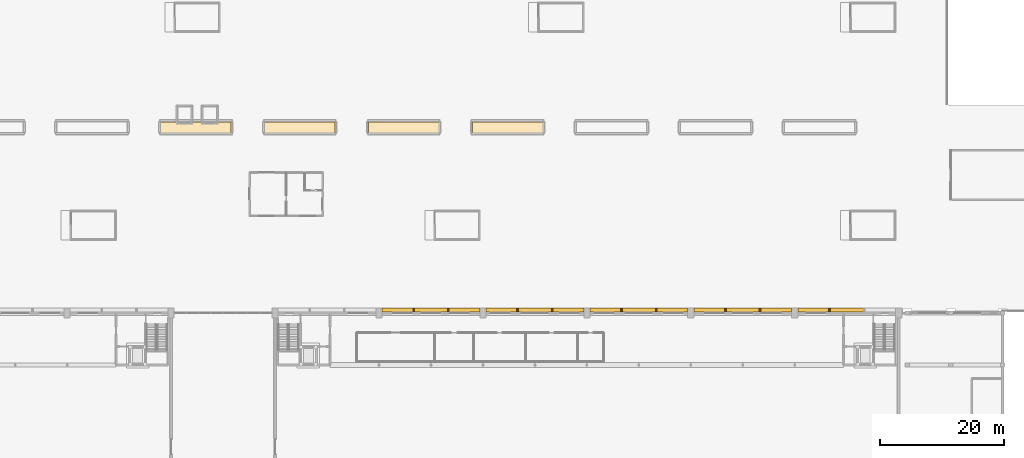
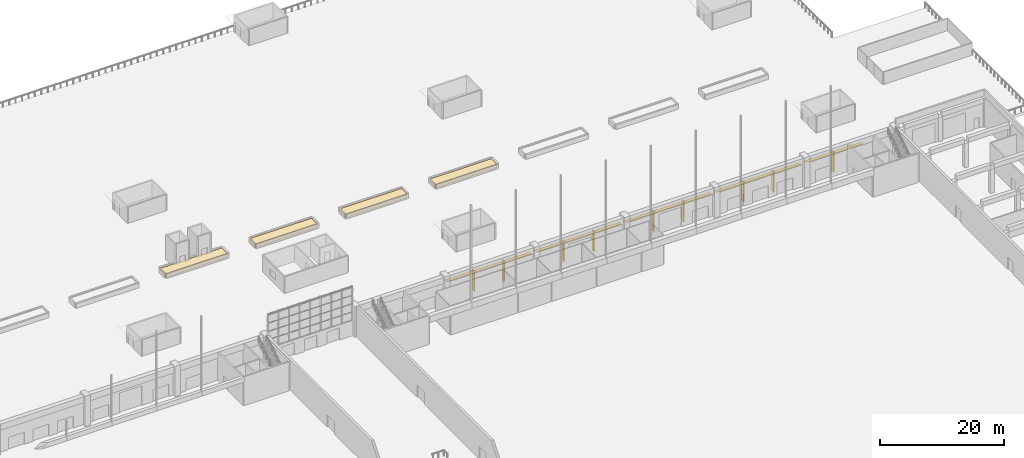
# One storey, part 204 of 210: 14 shading devices, 13 coverings.
"""IFC4 building model written with IfcOpenShell, lengths in metres."""

import ifcopenshell
import ifcopenshell.guid

model = None  # the IFC model being written
_history = None  # IfcOwnerHistory: only IFC2X3 demands one
_inside = {}  # id of a spatial element -> (the spatial element, [elements in it])
_under = {}  # id of a project, library or spatial element -> (it, [spatial elements below it])
_declared = {}  # id of a project -> (the project, [libraries it declares])
_typed = {}  # id of a type object -> (the type object, [elements of that type])
_made_of = {}  # id of a material, layer set ... -> (it, [elements and type objects made of it])


def new_model(schema):
    """Start an empty IFC model of exactly this schema.

    Asked for "IFC4X3", IfcOpenShell would pick the latest addendum, in which some entities
    have other attributes; the version numbers below select the first issue.
    IFC2X3 requires an IfcOwnerHistory on every rooted entity: one is made here for all.
    """
    global model, _history
    if schema == "IFC4X3":
        model = ifcopenshell.file(schema_version=(4, 3, 0, 0))
    else:
        model = ifcopenshell.file(schema=schema)
    _inside.clear()
    _under.clear()
    _declared.clear()
    _typed.clear()
    _made_of.clear()
    _history = None
    if model.schema == "IFC2X3":
        org = make("IfcOrganization", Name="unknown")
        user = make(
            "IfcPersonAndOrganization",
            ThePerson=make("IfcPerson", FamilyName="unknown"),
            TheOrganization=org,
        )
        app = make(
            "IfcApplication",
            ApplicationDeveloper=org,
            Version="unknown",
            ApplicationFullName="unknown",
            ApplicationIdentifier="unknown",
        )
        _history = make(
            "IfcOwnerHistory",
            OwningUser=user,
            OwningApplication=app,
            ChangeAction="ADDED",
            CreationDate=0,
        )
    return model


def make(cls, **values):
    """One entity of the class cls with the attributes given. An attribute that is None is left unset."""
    return model.create_entity(
        cls, **{name: value for name, value in values.items() if value is not None}
    )


def rooted(cls, **values):
    """An entity with a GlobalId (a new one), such as an element, a storey or a relation."""
    return make(cls, GlobalId=ifcopenshell.guid.new(), OwnerHistory=_history, **values)


def si_unit(unit_type, name, prefix=None):
    """IfcSIUnit, for example si_unit("LENGTHUNIT", "METRE", prefix="MILLI")."""
    return make("IfcSIUnit", UnitType=unit_type, Prefix=prefix, Name=name)


def assignment(units):
    """IfcUnitAssignment: the units of a project."""
    return None if units is None else make("IfcUnitAssignment", Units=units)


def point(xyz):
    """IfcCartesianPoint."""
    return None if xyz is None else make("IfcCartesianPoint", Coordinates=xyz)


def direction(xyz):
    """IfcDirection."""
    return None if xyz is None else make("IfcDirection", DirectionRatios=xyz)


def frame(location, z_axis=None, x_axis=None):
    """IfcAxis2Placement3D, a coordinate frame: its origin and axes. An axis left out is left unset."""
    return make(
        "IfcAxis2Placement3D",
        Location=point(location),
        Axis=direction(z_axis),
        RefDirection=direction(x_axis),
    )


def frame_2d(location, x_axis=None):
    """IfcAxis2Placement2D, a coordinate frame in the plane: its origin and x axis."""
    return make(
        "IfcAxis2Placement2D", Location=point(location), RefDirection=direction(x_axis)
    )


def origin():
    """The frame at (0, 0, 0) with its axes left unset."""
    return frame((0.0, 0.0, 0.0))


def origin_2d():
    """The frame at (0, 0) in the plane with its x axis left unset."""
    return frame_2d((0.0, 0.0))


def place(relative_to, where):
    """IfcLocalPlacement: puts the frame where relative to a parent placement (None: the world)."""
    return make(
        "IfcLocalPlacement", PlacementRelTo=relative_to, RelativePlacement=where
    )


def context(
    kind, dimensions, precision=None, world=None, true_north=None, identifier=None
):
    """IfcGeometricRepresentationContext, for example the 3D "Model" context."""
    return make(
        "IfcGeometricRepresentationContext",
        ContextIdentifier=identifier,
        ContextType=kind,
        CoordinateSpaceDimension=dimensions,
        Precision=precision,
        WorldCoordinateSystem=world,
        TrueNorth=true_north,
    )


def subcontext(parent, identifier, kind, view, scale=None):
    """IfcGeometricRepresentationSubContext, for example "Body" below "Model"."""
    return make(
        "IfcGeometricRepresentationSubContext",
        ContextIdentifier=identifier,
        ContextType=kind,
        ParentContext=parent,
        TargetScale=scale,
        TargetView=view,
    )


def project(units=None, contexts=None):
    """IfcProject with its units and contexts."""
    return rooted(
        "IfcProject",
        Name="project",
        RepresentationContexts=contexts,
        UnitsInContext=assignment(units),
    )


def spatial(cls, under=None, at=None, **own):
    """A site, building, storey or space (cls), placed at a placement, below another one or the project."""
    s = rooted(cls, ObjectPlacement=at, **own)
    if under is not None:
        _under.setdefault(under.id(), (under, []))[1].append(s)
    return s


def profile(cls, at=None, kind="AREA", **sizes):
    """A parametric profile (cls). Its sizes go by their IFC names, for example OverallWidth=200.0."""
    return make(cls, ProfileType=kind, Position=at, **sizes)


def rectangle(**sizes):
    """IfcRectangleProfileDef."""
    return profile("IfcRectangleProfileDef", **sizes)


def extrude(swept, where, along, depth):
    """IfcExtrudedAreaSolid: the profile swept, set in the frame where, extruded along a direction by depth."""
    return make(
        "IfcExtrudedAreaSolid",
        SweptArea=swept,
        Position=where,
        ExtrudedDirection=direction(along),
        Depth=depth,
    )


def shape(context_of_items, identifier, shape_type, items):
    """IfcShapeRepresentation: the items that make up one representation, for example the "Body"."""
    return make(
        "IfcShapeRepresentation",
        ContextOfItems=context_of_items,
        RepresentationIdentifier=identifier,
        RepresentationType=shape_type,
        Items=items,
    )


def material(Name=None, Category=None):
    """IfcMaterial."""
    return make("IfcMaterial", Name=Name, Category=Category)


def layer(
    of_material, thickness, ventilated=None, Name=None, Category=None, Priority=None
):
    """IfcMaterialLayer: one layer of a wall or slab, of a material (None: an air gap)."""
    return make(
        "IfcMaterialLayer",
        Material=of_material,
        LayerThickness=thickness,
        IsVentilated=ventilated,
        Name=Name,
        Category=Category,
        Priority=Priority,
    )


def layer_set(layers, Name=None):
    """IfcMaterialLayerSet."""
    return make("IfcMaterialLayerSet", MaterialLayers=layers, LayerSetName=Name)


def made_of(thing, what):
    """Note that an element or type object is made of a material, layer set ...; save() writes the relation."""
    if what is not None:
        _made_of.setdefault(what.id(), (what, []))[1].append(thing)
    return thing


def type_object(cls, material=None, **own):
    """A type object (cls), such as IfcWallType, which elements share."""
    return made_of(rooted(cls, **own), material)


def element(
    cls,
    number,
    at=None,
    inside=None,
    cuts=None,
    type_object=None,
    material=None,
    context=None,
    identifier="Body",
    shape_type=None,
    held_by="IfcProductDefinitionShape",
    body=None,
    shapes=None,
    **own,
):
    """One element of the class cls, such as IfcWall. Its Tag is "e" and its number.

    at: its placement. inside: the storey or other place that contains it. cuts: it is an
    opening in that element (IfcRelVoidsElement). A single representation is given by context,
    identifier, shape_type and body (its items); several are given by shapes. held_by: the class
    of the entity that holds the representations. save() writes the other relations.
    """
    e = rooted(cls, Tag="e%d" % number, ObjectPlacement=at, **own)
    if body is not None:
        shapes = [shape(context, identifier, shape_type, body)]
    if shapes is not None:
        e.Representation = make(held_by, Representations=shapes)
    if inside is not None:
        _inside.setdefault(inside.id(), (inside, []))[1].append(e)
    if cuts is not None:
        rooted(
            "IfcRelVoidsElement", RelatingBuildingElement=cuts, RelatedOpeningElement=e
        )
    if type_object is not None:
        _typed.setdefault(type_object.id(), (type_object, []))[1].append(e)
    return made_of(e, material)


def aggregate(whole, parts):
    """IfcRelAggregates: a whole, such as a stair, and the parts it consists of."""
    return rooted("IfcRelAggregates", RelatingObject=whole, RelatedObjects=parts)


def save(model, path):
    """Write the relations noted so far, then the file.

    IfcRelAggregates (storeys below a building ...), IfcRelContainedInSpatialStructure (elements
    in a storey), IfcRelDefinesByType, IfcRelAssociatesMaterial and IfcRelDeclares: one each for
    every whole, place, type object, material and project.
    """
    for whole, parts in _under.values():
        aggregate(whole, parts)
    for where, things in _inside.values():
        rooted(
            "IfcRelContainedInSpatialStructure",
            RelatedElements=things,
            RelatingStructure=where,
        )
    for kind, things in _typed.values():
        rooted("IfcRelDefinesByType", RelatedObjects=things, RelatingType=kind)
    for what, things in _made_of.values():
        rooted("IfcRelAssociatesMaterial", RelatedObjects=things, RelatingMaterial=what)
    for by, libraries in _declared.values():
        rooted("IfcRelDeclares", RelatingContext=by, RelatedDefinitions=libraries)
    model.write(path)


model = new_model("IFC4")

# Units and contexts
model_context = context("Model", 3, precision=1e-05, world=origin(), true_north=direction((0.0, 1.0)))
body_context = subcontext(model_context, "Body", "Model", "MODEL_VIEW")
ifc_project = project(units=[si_unit("LENGTHUNIT", "METRE"), si_unit("AREAUNIT", "SQUARE_METRE"), si_unit("VOLUMEUNIT", "CUBIC_METRE"), si_unit("PLANEANGLEUNIT", "RADIAN"), si_unit("MASSUNIT", "GRAM", prefix="KILO")], contexts=[model_context])

# Site, building, storey
site_placement = place(None, origin())
site = spatial("IfcSite", under=ifc_project, at=site_placement, CompositionType="ELEMENT")
building_placement = place(site_placement, origin())
building = spatial("IfcBuilding", under=site, at=building_placement, Name="Rain Tree Exposition and Congress Centre", CompositionType="ELEMENT")
storey_placement = place(building_placement, origin())
storey = spatial("IfcBuildingStorey", under=building, at=storey_placement, Name="L00", CompositionType="ELEMENT", Elevation=0.0)

# Coverings
ifc_material_1 = material(Name="Precast concrete C50/60", Category="concrete")
ifc_layer_1 = layer(ifc_material_1, 0.199951171875)
ifc_layer_set_1 = layer_set([ifc_layer_1], Name="Precast concrete C50/60")
covering_type_1 = type_object("IfcCoveringType", Name="North face fin 200x600", PredefinedType="CLADDING", material=ifc_layer_set_1)
for number, where, z_axis, x_axis, name in (
    (1, (165.199951171875, 202.10009765625, 0.4501953125), (0.0, 0.0, 1.0), (1.0, 0.0, 0.0), "Facade fin N2.1"),
    (2, (170.800048828125, 202.10009765625, 0.4501953125), (0.0, 0.0, 1.0), (1.0, 0.0, 0.0), "Facade fin N2.2"),
    (3, (182.0, 202.10009765625, 0.4501953125), (0.0, 0.0, 1.0), (1.0, 0.0, 0.0), "Facade fin N3.1"),
    (4, (187.60009765625, 202.10009765625, 0.4501953125), (0.0, 0.0, 1.0), (1.0, 0.0, 0.0), "Facade fin N3.2"),
    (5, (198.800048828125, 202.10009765625, 0.4501953125), (0.0, 0.0, 1.0), (1.0, 0.0, 0.0), "Facade fin N4.1"),
    (6, (204.39990234375, 202.10009765625, 0.4501953125), (0.0, 0.0, 1.0), (1.0, 0.0, 0.0), "Facade fin N4.2"),
    (7, (215.60009765625, 202.10009765625, 0.4501953125), (0.0, 0.0, 1.0), (1.0, 0.0, 0.0), "Facade fin N5.1"),
    (8, (221.199951171875, 202.10009765625, 0.4501953125), (0.0, 0.0, 1.0), (1.0, 0.0, 0.0), "Facade fin N5.2"),
    (9, (232.39990234375, 202.10009765625, 0.4501953125), (0.0, 0.0, 1.0), (1.0, 0.0, 0.0), "Facade fin N6.1"),
):
    element("IfcCovering", number, at=place(storey_placement, frame(where, z_axis=z_axis, x_axis=x_axis)), inside=storey, type_object=covering_type_1, Name=name, PredefinedType="CLADDING", context=body_context, shape_type="SweptSolid", body=[
        extrude(rectangle(XDim=0.199951171875, YDim=0.60009765625, at=origin_2d()), origin(), (0.0, 0.0, 1.0), 4.050048828125),
    ])
ifc_material_2 = material(Name="Planting substrate", Category="soil")
ifc_layer_2 = layer(ifc_material_2, 0.75)
ifc_layer_set_2 = layer_set([ifc_layer_2], Name="Planting substrate")
covering_type_2 = type_object("IfcCoveringType", Name="Planting bed substrate 750", PredefinedType="FLOORING", material=ifc_layer_set_2)
for number, where, z_axis, x_axis, name in (
    (10, (130.0, 231.60009765625, 0.0), (0.0, 0.0, 1.0), (1.0, 0.0, 0.0), "Planting bed"),
    (11, (146.800048828125, 231.60009765625, 0.0), (0.0, 0.0, 1.0), (1.0, 0.0, 0.0), "Planting bed"),
    (12, (163.60009765625, 231.60009765625, 0.0), (0.0, 0.0, 1.0), (1.0, 0.0, 0.0), "Planting bed"),
    (13, (180.39990234375, 231.60009765625, 0.0), (0.0, 0.0, 1.0), (1.0, 0.0, 0.0), "Planting bed"),
):
    element("IfcCovering", number, at=place(storey_placement, frame(where, z_axis=z_axis, x_axis=x_axis)), inside=storey, type_object=covering_type_2, Name=name, PredefinedType="FLOORING", context=body_context, shape_type="SweptSolid", body=[
        extrude(rectangle(XDim=11.39990234375, YDim=1.800048828125, at=origin_2d()), origin(), (0.0, 0.0, 1.0), 0.75),
    ])

# Shading devices
ifc_material_3 = material(Name="Aluminium", Category="aluminium")
ifc_layer_3 = layer(ifc_material_3, 0.06005859375)
ifc_layer_set_3 = layer_set([ifc_layer_3], Name="Aluminium")
shading_device_type = type_object("IfcShadingDeviceType", Name="Sun blade 60x600", PredefinedType="JALOUSIE", material=ifc_layer_set_3)
shading_device_1_placement = place(storey_placement, frame((162.60009765625, 202.10009765625, 4.099853515625), z_axis=(0.0, 0.0, 1.0), x_axis=(1.0, 0.0, 0.0)))
element("IfcShadingDevice", 14, at=shading_device_1_placement, inside=storey, type_object=shading_device_type, Name="Sun blade N2.1.1", PredefinedType="JALOUSIE", context=body_context, shape_type="SweptSolid", body=[
    extrude(rectangle(XDim=5.0, YDim=0.60009765625, at=origin_2d()), origin(), (0.0, 0.0, 1.0), 0.06005859375),
])
shading_device_2_placement = place(storey_placement, frame((168.0, 202.10009765625, 4.099853515625), z_axis=(0.0, 0.0, 1.0), x_axis=(1.0, 0.0, 0.0)))
element("IfcShadingDevice", 15, at=shading_device_2_placement, inside=storey, type_object=shading_device_type, Name="Sun blade N2.2.1", PredefinedType="JALOUSIE", context=body_context, shape_type="SweptSolid", body=[
    extrude(rectangle(XDim=5.39990234375, YDim=0.60009765625, at=origin_2d()), origin(), (0.0, 0.0, 1.0), 0.06005859375),
])
for number, where, z_axis, x_axis, name in (
    (16, (173.39990234375, 202.10009765625, 4.099853515625), (0.0, 0.0, 1.0), (1.0, 0.0, 0.0), "Sun blade N2.3.1"),
    (17, (179.39990234375, 202.10009765625, 4.099853515625), (0.0, 0.0, 1.0), (1.0, 0.0, 0.0), "Sun blade N3.1.1"),
):
    element("IfcShadingDevice", number, at=place(storey_placement, frame(where, z_axis=z_axis, x_axis=x_axis)), inside=storey, type_object=shading_device_type, Name=name, PredefinedType="JALOUSIE", context=body_context, shape_type="SweptSolid", body=[
        extrude(rectangle(XDim=5.0, YDim=0.60009765625, at=origin_2d()), origin(), (0.0, 0.0, 1.0), 0.06005859375),
    ])
shading_device_3_placement = place(storey_placement, frame((184.800048828125, 202.10009765625, 4.099853515625), z_axis=(0.0, 0.0, 1.0), x_axis=(1.0, 0.0, 0.0)))
element("IfcShadingDevice", 18, at=shading_device_3_placement, inside=storey, type_object=shading_device_type, Name="Sun blade N3.2.1", PredefinedType="JALOUSIE", context=body_context, shape_type="SweptSolid", body=[
    extrude(rectangle(XDim=5.39990234375, YDim=0.60009765625, at=origin_2d()), origin(), (0.0, 0.0, 1.0), 0.06005859375),
])
for number, where, z_axis, x_axis, name in (
    (19, (190.199951171875, 202.10009765625, 4.099853515625), (0.0, 0.0, 1.0), (1.0, 0.0, 0.0), "Sun blade N3.3.1"),
    (20, (196.199951171875, 202.10009765625, 4.099853515625), (0.0, 0.0, 1.0), (1.0, 0.0, 0.0), "Sun blade N4.1.1"),
):
    element("IfcShadingDevice", number, at=place(storey_placement, frame(where, z_axis=z_axis, x_axis=x_axis)), inside=storey, type_object=shading_device_type, Name=name, PredefinedType="JALOUSIE", context=body_context, shape_type="SweptSolid", body=[
        extrude(rectangle(XDim=5.0, YDim=0.60009765625, at=origin_2d()), origin(), (0.0, 0.0, 1.0), 0.06005859375),
    ])
shading_device_4_placement = place(storey_placement, frame((201.60009765625, 202.10009765625, 4.099853515625), z_axis=(0.0, 0.0, 1.0), x_axis=(1.0, 0.0, 0.0)))
element("IfcShadingDevice", 21, at=shading_device_4_placement, inside=storey, type_object=shading_device_type, Name="Sun blade N4.2.1", PredefinedType="JALOUSIE", context=body_context, shape_type="SweptSolid", body=[
    extrude(rectangle(XDim=5.39990234375, YDim=0.60009765625, at=origin_2d()), origin(), (0.0, 0.0, 1.0), 0.06005859375),
])
for number, where, z_axis, x_axis, name in (
    (22, (207.0, 202.10009765625, 4.099853515625), (0.0, 0.0, 1.0), (1.0, 0.0, 0.0), "Sun blade N4.3.1"),
    (23, (213.0, 202.10009765625, 4.099853515625), (0.0, 0.0, 1.0), (1.0, 0.0, 0.0), "Sun blade N5.1.1"),
):
    element("IfcShadingDevice", number, at=place(storey_placement, frame(where, z_axis=z_axis, x_axis=x_axis)), inside=storey, type_object=shading_device_type, Name=name, PredefinedType="JALOUSIE", context=body_context, shape_type="SweptSolid", body=[
        extrude(rectangle(XDim=5.0, YDim=0.60009765625, at=origin_2d()), origin(), (0.0, 0.0, 1.0), 0.06005859375),
    ])
shading_device_5_placement = place(storey_placement, frame((218.39990234375, 202.10009765625, 4.099853515625), z_axis=(0.0, 0.0, 1.0), x_axis=(1.0, 0.0, 0.0)))
element("IfcShadingDevice", 24, at=shading_device_5_placement, inside=storey, type_object=shading_device_type, Name="Sun blade N5.2.1", PredefinedType="JALOUSIE", context=body_context, shape_type="SweptSolid", body=[
    extrude(rectangle(XDim=5.39990234375, YDim=0.60009765625, at=origin_2d()), origin(), (0.0, 0.0, 1.0), 0.06005859375),
])
for number, where, z_axis, x_axis, name in (
    (25, (223.800048828125, 202.10009765625, 4.099853515625), (0.0, 0.0, 1.0), (1.0, 0.0, 0.0), "Sun blade N5.3.1"),
    (26, (229.800048828125, 202.10009765625, 4.099853515625), (0.0, 0.0, 1.0), (1.0, 0.0, 0.0), "Sun blade N6.1.1"),
):
    element("IfcShadingDevice", number, at=place(storey_placement, frame(where, z_axis=z_axis, x_axis=x_axis)), inside=storey, type_object=shading_device_type, Name=name, PredefinedType="JALOUSIE", context=body_context, shape_type="SweptSolid", body=[
        extrude(rectangle(XDim=5.0, YDim=0.60009765625, at=origin_2d()), origin(), (0.0, 0.0, 1.0), 0.06005859375),
    ])
shading_device_6_placement = place(storey_placement, frame((235.199951171875, 202.10009765625, 4.099853515625), z_axis=(0.0, 0.0, 1.0), x_axis=(1.0, 0.0, 0.0)))
element("IfcShadingDevice", 27, at=shading_device_6_placement, inside=storey, type_object=shading_device_type, Name="Sun blade N6.2.1", PredefinedType="JALOUSIE", context=body_context, shape_type="SweptSolid", body=[
    extrude(rectangle(XDim=5.39990234375, YDim=0.60009765625, at=origin_2d()), origin(), (0.0, 0.0, 1.0), 0.06005859375),
])

save(model, "model.ifc")
